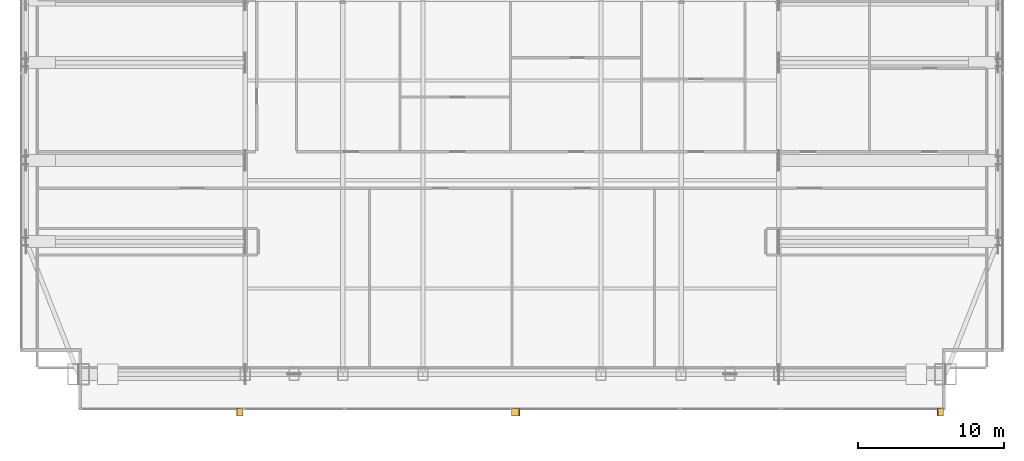
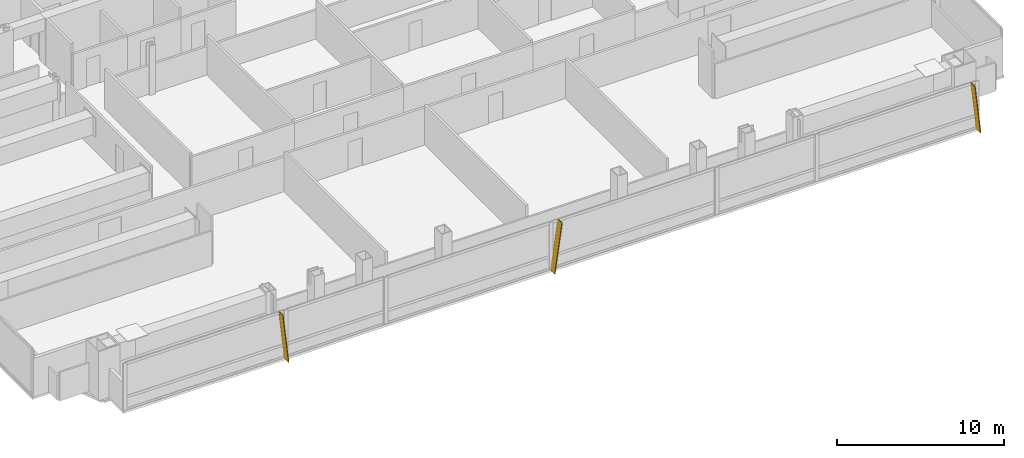
# One storey, part 29 of 30: 3 shading devices.
"""IFC4 building model written with IfcOpenShell, lengths in metres."""

from ifc_helpers import new_model, si_unit, direction, frame, origin, place, context, subcontext, project, spatial, polyline, outline, extrude, material, layer, layer_set, type_object, element, save


model = new_model("IFC4")

# Units and contexts
model_context = context("Model", 3, precision=1e-05, world=origin(), true_north=direction((0.0, 1.0)))
body_context = subcontext(model_context, "Body", "Model", "MODEL_VIEW")
ifc_project = project(units=[si_unit("LENGTHUNIT", "METRE"), si_unit("AREAUNIT", "SQUARE_METRE"), si_unit("VOLUMEUNIT", "CUBIC_METRE"), si_unit("PLANEANGLEUNIT", "RADIAN"), si_unit("MASSUNIT", "GRAM", prefix="KILO")], contexts=[model_context])

# Site, building, storey
site_placement = place(None, origin())
site = spatial("IfcSite", under=ifc_project, at=site_placement, CompositionType="ELEMENT")
building_placement = place(site_placement, origin())
building = spatial("IfcBuilding", under=site, at=building_placement, Name="Khoronbel Lancet Exchange", CompositionType="ELEMENT")
storey_placement = place(building_placement, frame((0.0, 0.0, 132.60009765625)))
storey = spatial("IfcBuildingStorey", under=building, at=storey_placement, Name="L32", CompositionType="ELEMENT", Elevation=132.60009765625)

# Shading devices
ifc_material = material(Name="Bronze-Anodised Aluminium 6063-T6", Category="aluminium")
ifc_layer = layer(ifc_material, 0.054931640625, Name="Bronze-Anodised Aluminium 6063-T6")
ifc_layer_set = layer_set([ifc_layer], Name="Bronze-Anodised Aluminium 6063-T6")
shading_device_type = type_object("IfcShadingDeviceType", Name="SHD-FIN1", PredefinedType="USERDEFINED", material=ifc_layer_set)
shading_device_1_placement = place(storey_placement, frame((18.072509765625, 7.81005859375, -0.080078125), z_axis=(0.993900347655, 0.0, 0.110281906632), x_axis=(0.0, -1.0, 0.0)))
element("IfcShadingDevice", 1, at=shading_device_1_placement, inside=storey, type_object=shading_device_type, Name="Slanted bronze solar fin CW-L32-SWV-1", ObjectType="FIN", PredefinedType="USERDEFINED", context=body_context, shape_type="SweptSolid", body=[
    extrude(outline(polyline([(0.0, 0.0), (0.52001953125, 0.0), (0.52001953125, -3.581787109375), (0.0, -3.581787109375), (0.0, 0.0)])), origin(), (0.0, 0.0, -1.0), 0.054931640625),
])
shading_device_2_placement = place(storey_placement, frame((36.422607421875, 7.81005859375, -0.080078125), z_axis=(-0.990092925251, 0.0, 0.140413672296), x_axis=(0.0, -1.0, 0.0)))
element("IfcShadingDevice", 2, at=shading_device_2_placement, inside=storey, type_object=shading_device_type, Name="Slanted bronze solar fin CW-L32-SCV-1", ObjectType="FIN", PredefinedType="USERDEFINED", context=body_context, shape_type="SweptSolid", body=[
    extrude(outline(polyline([(0.0, 0.0), (0.52001953125, 0.0), (0.52001953125, 3.595703125), (0.0, 3.595703125), (0.0, 0.0)])), origin(), (0.0, 0.0, -1.0), 0.054931640625),
])
shading_device_3_placement = place(storey_placement, frame((65.9326171875, 7.81005859375, -0.080078125), z_axis=(0.993900347655, 0.0, 0.110281906632), x_axis=(0.0, -1.0, 0.0)))
element("IfcShadingDevice", 3, at=shading_device_3_placement, inside=storey, type_object=shading_device_type, Name="Slanted bronze solar fin CW-L32-SEV-1", ObjectType="FIN", PredefinedType="USERDEFINED", context=body_context, shape_type="SweptSolid", body=[
    extrude(outline(polyline([(0.0, 0.0), (0.52001953125, 0.0), (0.52001953125, -3.581787109375), (0.0, -3.581787109375), (0.0, 0.0)])), origin(), (0.0, 0.0, -1.0), 0.054931640625),
])

save(model, "model.ifc")
